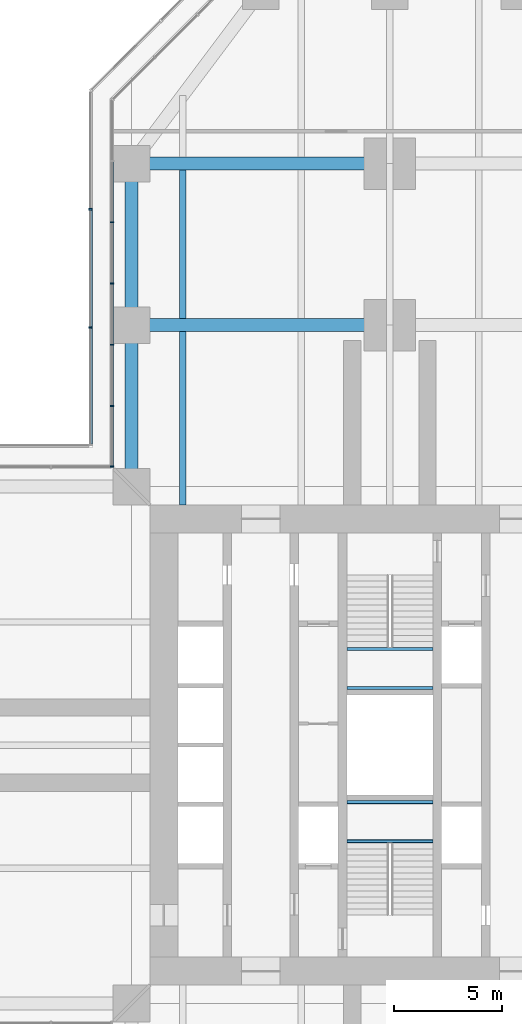
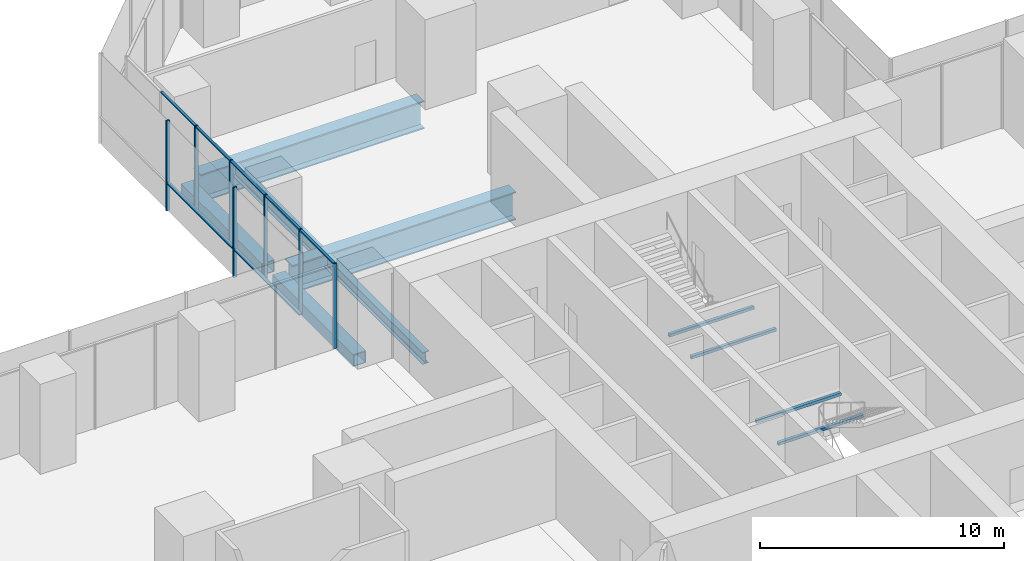
# One storey, part 8 of 21: 14 members, 10 beams, 2 elements without a shape of their own.
"""IFC4 building model written with IfcOpenShell, lengths in metres."""

from ifc_helpers import new_model, si_unit, direction, frame, origin, origin_2d, place, context, subcontext, project, spatial, rectangle, hollow_rectangle, i_section, extrude, material, material_profile, profile_set, type_object, element, aggregate, save


model = new_model("IFC4")

# Units and contexts
model_context = context("Model", 3, precision=1e-05, world=origin(), true_north=direction((0.0, 1.0)))
body_context = subcontext(model_context, "Body", "Model", "MODEL_VIEW")
ifc_project = project(units=[si_unit("LENGTHUNIT", "METRE"), si_unit("AREAUNIT", "SQUARE_METRE"), si_unit("VOLUMEUNIT", "CUBIC_METRE"), si_unit("PLANEANGLEUNIT", "RADIAN"), si_unit("MASSUNIT", "GRAM", prefix="KILO")], contexts=[model_context])

# Site, building, storey
site_placement = place(None, origin())
site = spatial("IfcSite", under=ifc_project, at=site_placement, CompositionType="ELEMENT")
building_placement = place(site_placement, origin())
building = spatial("IfcBuilding", under=site, at=building_placement, Name="Mizan Broadcast Tower", CompositionType="ELEMENT")
storey_placement = place(building_placement, frame((0.0, 0.0, 33.0)))
storey = spatial("IfcBuildingStorey", under=building, at=storey_placement, Name="L05", CompositionType="ELEMENT", Elevation=33.0)

# Beams
ifc_material_1 = material(Name="Steel S355", Category="steel")
ifc_material_profile_1 = material_profile(ifc_material_1, hollow_rectangle(XDim=0.60009765625, YDim=0.60009765625, WallThickness=0.0400390625, at=origin_2d()), Name="BOX 600x600x40")
ifc_profile_set_1 = profile_set([ifc_material_profile_1], Name="Steel S355")
beam_type_1 = type_object("IfcBeamType", Name="EDGE BEAM BOX 600x600x40", PredefinedType="SPANDREL", material=ifc_profile_set_1)
for number, where, z_axis, x_axis, name in (
    (1, (-12.0, 12.449951171875, -0.550048828125), (0.0, 1.0, 0.0), (-1.0, 0.0, 0.0), "Edge beam BOX 600x600x40 L05 north arm"),
    (2, (-12.0, 19.949951171875, -0.550048828125), (0.0, 1.0, 0.0), (-1.0, 0.0, 0.0), "Edge beam BOX 600x600x40 L05 north arm"),
):
    element("IfcBeam", number, at=place(storey_placement, frame(where, z_axis=z_axis, x_axis=x_axis)), inside=storey, type_object=beam_type_1, Name=name, PredefinedType="SPANDREL", context=body_context, shape_type="SweptSolid", body=[
        extrude(hollow_rectangle(XDim=0.60009765625, YDim=0.60009765625, WallThickness=0.0400390625, at=origin_2d()), origin(), (0.0, 0.0, 1.0), 6.60009765625),
    ])
ifc_material_2 = material(Name="Steel S460", Category="steel")
ifc_material_profile_2 = material_profile(ifc_material_2, i_section(OverallWidth=0.60009765625, OverallDepth=1.39990234375, WebThickness=0.02490234375, FlangeThickness=0.06005859375, at=origin_2d()), Name="WPG 1400x600")
ifc_profile_set_2 = profile_set([ifc_material_profile_2], Name="Steel S460")
beam_type_2 = type_object("IfcBeamType", Name="GIRDER WPG 1400x600", PredefinedType="BEAM", material=ifc_profile_set_2)
for number, where, z_axis, x_axis, name in (
    (3, (-0.719970703125, 19.5, -0.949951171875), (-1.0, 0.0, 0.0), (0.0, -1.0, 0.0), "Girder WPG 1400x600 L05 north arm"),
    (4, (-0.719970703125, 27.0, -0.949951171875), (-1.0, 0.0, 0.0), (0.0, -1.0, 0.0), "Girder WPG 1400x600 L05 north arm"),
):
    element("IfcBeam", number, at=place(storey_placement, frame(where, z_axis=z_axis, x_axis=x_axis)), inside=storey, type_object=beam_type_2, Name=name, PredefinedType="BEAM", context=body_context, shape_type="SweptSolid", body=[
        extrude(i_section(OverallWidth=0.60009765625, OverallDepth=1.39990234375, WebThickness=0.02490234375, FlangeThickness=0.06005859375, at=origin_2d()), origin(), (0.0, 0.0, 1.0), 10.56005859375),
    ])

# Curtain wall, members
ifc_material_3 = material(Name="Aluminium framed glazing", Category="aluminium")
curtain_wall_type_1 = type_object("IfcCurtainWallType", Name="PODIUM CURTAIN WALL", PredefinedType="USERDEFINED", material=ifc_material_3)
curtain_wall_1_placement = place(storey_placement, origin())
curtain_wall_1 = element("IfcCurtainWall", 5, at=curtain_wall_1_placement, inside=storey, type_object=curtain_wall_type_1, Name="Podium curtain wall L05 N side", ObjectType="PODIUM CURTAIN WALL", PredefinedType="USERDEFINED")
ifc_material_4 = material(Name="Aluminium, pale anodised", Category="aluminium")
ifc_material_profile_3 = material_profile(ifc_material_4, rectangle(XDim=0.159912109375, YDim=0.06005859375, at=origin_2d()), Name="MULLION 160x60")
ifc_profile_set_3 = profile_set([ifc_material_profile_3], Name="Aluminium, pale anodised")
member_type_1 = type_object("IfcMemberType", Name="INNER SKIN MULLION 60x160", PredefinedType="MULLION", material=ifc_profile_set_3)
member_1_placement = place(storey_placement, frame((-12.89990234375, 24.2724609375, 0.0), z_axis=(0.0, 0.0, 1.0), x_axis=(1.0, 0.0, 0.0)))
member_1 = element("IfcMember", 6, at=member_1_placement, type_object=member_type_1, Name="Podium curtain wall L05 N side mullion 3", PredefinedType="MULLION", context=body_context, shape_type="SweptSolid", body=[
    extrude(rectangle(XDim=0.159912109375, YDim=0.06005859375, at=origin_2d()), origin(), (0.0, 0.0, 1.0), 4.25),
])
member_2_placement = place(storey_placement, frame((-12.89990234375, 21.42919921875, 0.0), z_axis=(0.0, 0.0, 1.0), x_axis=(1.0, 0.0, 0.0)))
member_2 = element("IfcMember", 7, at=member_2_placement, type_object=member_type_1, Name="Podium curtain wall L05 N side mullion 4", PredefinedType="MULLION", context=body_context, shape_type="SweptSolid", body=[
    extrude(rectangle(XDim=0.159912109375, YDim=0.06005859375, at=origin_2d()), origin(), (0.0, 0.0, 1.0), 4.25),
])
member_3_placement = place(storey_placement, frame((-12.89990234375, 18.586181640625, 0.0), z_axis=(0.0, 0.0, 1.0), x_axis=(1.0, 0.0, 0.0)))
member_3 = element("IfcMember", 8, at=member_3_placement, type_object=member_type_1, Name="Podium curtain wall L05 N side mullion 5", PredefinedType="MULLION", context=body_context, shape_type="SweptSolid", body=[
    extrude(rectangle(XDim=0.159912109375, YDim=0.06005859375, at=origin_2d()), origin(), (0.0, 0.0, 1.0), 4.25),
])
member_4_placement = place(storey_placement, frame((-12.89990234375, 15.7431640625, 0.0), z_axis=(0.0, 0.0, 1.0), x_axis=(1.0, 0.0, 0.0)))
member_4 = element("IfcMember", 9, at=member_4_placement, type_object=member_type_1, Name="Podium curtain wall L05 N side mullion 6", PredefinedType="MULLION", context=body_context, shape_type="SweptSolid", body=[
    extrude(rectangle(XDim=0.159912109375, YDim=0.06005859375, at=origin_2d()), origin(), (0.0, 0.0, 1.0), 4.25),
])
member_5_placement = place(storey_placement, frame((-12.89990234375, 12.929931640625, 0.0), z_axis=(0.0, 0.0, 1.0), x_axis=(1.0, 0.0, 0.0)))
member_5 = element("IfcMember", 10, at=member_5_placement, type_object=member_type_1, Name="Podium curtain wall L05 N side mullion 7", PredefinedType="MULLION", context=body_context, shape_type="SweptSolid", body=[
    extrude(rectangle(XDim=0.159912109375, YDim=0.06005859375, at=origin_2d()), origin(), (0.0, 0.0, 1.0), 4.25),
])
ifc_material_5 = material(Name="Aluminium, pale anodised", Category="aluminium")
ifc_material_profile_4 = material_profile(ifc_material_5, rectangle(XDim=0.1201171875, YDim=0.06005859375, at=origin_2d()), Name="TRANSOM 120x60")
ifc_profile_set_4 = profile_set([ifc_material_profile_4], Name="Aluminium, pale anodised")
member_type_2 = type_object("IfcMemberType", Name="INNER SKIN TRANSOM 60x120", PredefinedType="USERDEFINED", material=ifc_profile_set_4)
member_6_placement = place(storey_placement, frame((-12.89990234375, 27.08544921875, 4.219970703125), z_axis=(0.0, -1.0, 0.0), x_axis=(1.0, 0.0, 0.0)))
member_6 = element("IfcMember", 11, at=member_6_placement, type_object=member_type_2, Name="Podium curtain wall L05 N side transom 2.1", ObjectType="TRANSOM", PredefinedType="USERDEFINED", context=body_context, shape_type="SweptSolid", body=[
    extrude(rectangle(XDim=0.1201171875, YDim=0.06005859375, at=origin_2d()), origin(), (0.0, 0.0, 1.0), 2.782958984375),
])
member_7_placement = place(storey_placement, frame((-12.89990234375, 24.242431640625, 4.219970703125), z_axis=(0.0, -1.0, 0.0), x_axis=(1.0, 0.0, 0.0)))
member_7 = element("IfcMember", 12, at=member_7_placement, type_object=member_type_2, Name="Podium curtain wall L05 N side transom 3.1", ObjectType="TRANSOM", PredefinedType="USERDEFINED", context=body_context, shape_type="SweptSolid", body=[
    extrude(rectangle(XDim=0.1201171875, YDim=0.06005859375, at=origin_2d()), origin(), (0.0, 0.0, 1.0), 2.783203125),
])
member_8_placement = place(storey_placement, frame((-12.89990234375, 21.399169921875, 4.219970703125), z_axis=(0.0, -1.0, 0.0), x_axis=(1.0, 0.0, 0.0)))
member_8 = element("IfcMember", 13, at=member_8_placement, type_object=member_type_2, Name="Podium curtain wall L05 N side transom 4.1", ObjectType="TRANSOM", PredefinedType="USERDEFINED", context=body_context, shape_type="SweptSolid", body=[
    extrude(rectangle(XDim=0.1201171875, YDim=0.06005859375, at=origin_2d()), origin(), (0.0, 0.0, 1.0), 2.782958984375),
])
member_9_placement = place(storey_placement, frame((-12.89990234375, 18.55615234375, 4.219970703125), z_axis=(0.0, -1.0, 0.0), x_axis=(1.0, 0.0, 0.0)))
member_9 = element("IfcMember", 14, at=member_9_placement, type_object=member_type_2, Name="Podium curtain wall L05 N side transom 5.1", ObjectType="TRANSOM", PredefinedType="USERDEFINED", context=body_context, shape_type="SweptSolid", body=[
    extrude(rectangle(XDim=0.1201171875, YDim=0.06005859375, at=origin_2d()), origin(), (0.0, 0.0, 1.0), 2.782958984375),
])
member_10_placement = place(storey_placement, frame((-12.89990234375, 15.713134765625, 4.219970703125), z_axis=(0.0, -1.0, 0.0), x_axis=(1.0, 0.0, 0.0)))
member_10 = element("IfcMember", 15, at=member_10_placement, type_object=member_type_2, Name="Podium curtain wall L05 N side transom 6.1", ObjectType="TRANSOM", PredefinedType="USERDEFINED", context=body_context, shape_type="SweptSolid", body=[
    extrude(rectangle(XDim=0.1201171875, YDim=0.06005859375, at=origin_2d()), origin(), (0.0, 0.0, 1.0), 2.753173828125),
])
aggregate(curtain_wall_1, [member_1, member_2, member_3, member_4, member_5, member_6, member_7, member_8, member_9, member_10])

# Beams
ifc_material_6 = material(Name="Steel S355", Category="steel")
ifc_material_profile_5 = material_profile(ifc_material_6, hollow_rectangle(XDim=0.14990234375, YDim=0.14990234375, WallThickness=0.008056640625, InnerFilletRadius=0.008056640625, OuterFilletRadius=0.011962890625, at=origin_2d()), Name="SHS 150x150x8")
ifc_profile_set_5 = profile_set([ifc_material_profile_5], Name="Steel S355")
beam_type_3 = type_object("IfcBeamType", Name="LANDING TRIMMER SHS 150x150x8", PredefinedType="BEAM", material=ifc_profile_set_5)
for number, where, z_axis, x_axis, name in (
    (16, (-2.0, -4.465087890625, 1.97509765625), (1.0, 0.0, 0.0), (0.0, 1.0, 0.0), "Stair A landing trimmer L05"),
    (17, (-2.0, -2.64990234375, 1.97509765625), (1.0, 0.0, 0.0), (0.0, 1.0, 0.0), "Stair A landing trimmer L05"),
    (18, (2.0, 4.465087890625, 1.97509765625), (-1.0, 0.0, 0.0), (0.0, -1.0, 0.0), "Stair B landing trimmer L05"),
    (19, (2.0, 2.64990234375, 1.97509765625), (-1.0, 0.0, 0.0), (0.0, -1.0, 0.0), "Stair B landing trimmer L05"),
):
    element("IfcBeam", number, at=place(storey_placement, frame(where, z_axis=z_axis, x_axis=x_axis)), inside=storey, type_object=beam_type_3, Name=name, PredefinedType="BEAM", context=body_context, shape_type="SweptSolid", body=[
        extrude(hollow_rectangle(XDim=0.14990234375, YDim=0.14990234375, WallThickness=0.008056640625, InnerFilletRadius=0.008056640625, OuterFilletRadius=0.011962890625, at=origin_2d()), origin(), (0.0, 0.0, 1.0), 4.0),
    ])

# Curtain wall, members
ifc_material_7 = material(Name="Aluminium framed glazing", Category="aluminium")
curtain_wall_type_2 = type_object("IfcCurtainWallType", Name="OUTER SKIN", PredefinedType="USERDEFINED", material=ifc_material_7)
curtain_wall_2_placement = place(storey_placement, origin())
curtain_wall_2 = element("IfcCurtainWall", 20, at=curtain_wall_2_placement, inside=storey, type_object=curtain_wall_type_2, Name="Outer skin L05 N side", ObjectType="OUTER SKIN", PredefinedType="USERDEFINED")
ifc_material_8 = material(Name="Aluminium, pale anodised", Category="aluminium")
ifc_material_profile_6 = material_profile(ifc_material_8, rectangle(XDim=0.159912109375, YDim=0.080078125, at=origin_2d()), Name="MULLION 160x80")
ifc_profile_set_6 = profile_set([ifc_material_profile_6], Name="Aluminium, pale anodised")
member_type_3 = type_object("IfcMemberType", Name="OUTER SKIN MULLION 80x160", PredefinedType="MULLION", material=ifc_profile_set_6)
member_11_placement = place(storey_placement, frame((-13.89990234375, 24.8818359375, 0.0), z_axis=(0.0, 0.0, 1.0), x_axis=(1.0, 0.0, 0.0)))
member_11 = element("IfcMember", 21, at=member_11_placement, type_object=member_type_3, Name="Outer skin L05 N side mullion 2", PredefinedType="MULLION", context=body_context, shape_type="SweptSolid", body=[
    extrude(rectangle(XDim=0.159912109375, YDim=0.080078125, at=origin_2d()), origin(), (0.0, 0.0, 1.0), 4.5),
])
member_12_placement = place(storey_placement, frame((-13.89990234375, 19.390869140625, 0.0), z_axis=(0.0, 0.0, 1.0), x_axis=(1.0, 0.0, 0.0)))
member_12 = element("IfcMember", 22, at=member_12_placement, type_object=member_type_3, Name="Outer skin L05 N side mullion 3", PredefinedType="MULLION", context=body_context, shape_type="SweptSolid", body=[
    extrude(rectangle(XDim=0.159912109375, YDim=0.080078125, at=origin_2d()), origin(), (0.0, 0.0, 1.0), 4.5),
])
ifc_material_9 = material(Name="Aluminium, pale anodised", Category="aluminium")
ifc_material_profile_7 = material_profile(ifc_material_9, rectangle(XDim=0.159912109375, YDim=0.06005859375, at=origin_2d()), Name="TRANSOM 160x60")
ifc_profile_set_7 = profile_set([ifc_material_profile_7], Name="Aluminium, pale anodised")
member_type_4 = type_object("IfcMemberType", Name="OUTER SKIN TRANSOM 60x160", PredefinedType="USERDEFINED", material=ifc_profile_set_7)
member_13_placement = place(storey_placement, frame((-13.89990234375, 24.841796875, 1.39990234375), z_axis=(0.0, -1.0, 0.0), x_axis=(1.0, 0.0, 0.0)))
member_13 = element("IfcMember", 23, at=member_13_placement, type_object=member_type_4, Name="Outer skin L05 N side transom 2.1", ObjectType="TRANSOM", PredefinedType="USERDEFINED", context=body_context, shape_type="SweptSolid", body=[
    extrude(rectangle(XDim=0.159912109375, YDim=0.06005859375, at=origin_2d()), origin(), (0.0, 0.0, 1.0), 5.410888671875),
])
member_14_placement = place(storey_placement, frame((-13.89990234375, 19.350830078125, 1.39990234375), z_axis=(0.0, -1.0, 0.0), x_axis=(1.0, 0.0, 0.0)))
member_14 = element("IfcMember", 24, at=member_14_placement, type_object=member_type_4, Name="Outer skin L05 N side transom 3.1", ObjectType="TRANSOM", PredefinedType="USERDEFINED", context=body_context, shape_type="SweptSolid", body=[
    extrude(rectangle(XDim=0.159912109375, YDim=0.06005859375, at=origin_2d()), origin(), (0.0, 0.0, 1.0), 5.370849609375),
])
aggregate(curtain_wall_2, [member_11, member_12, member_13, member_14])

# Beams
ifc_material_10 = material(Name="Steel S355", Category="steel")
ifc_material_profile_8 = material_profile(ifc_material_10, i_section(OverallWidth=0.300048828125, OverallDepth=0.590087890625, WebThickness=0.012939453125, FlangeThickness=0.02490234375, FilletRadius=0.027099609375, at=origin_2d()), Name="HEA 600")
ifc_profile_set_8 = profile_set([ifc_material_profile_8], Name="Steel S355")
beam_type_4 = type_object("IfcBeamType", Name="SECONDARY BEAM HEA 600", PredefinedType="JOIST", material=ifc_profile_set_8)
beam_1_placement = place(storey_placement, frame((-9.625, 11.14990234375, -0.544921875), z_axis=(0.0, 1.0, 0.0), x_axis=(-1.0, 0.0, 0.0)))
element("IfcBeam", 25, at=beam_1_placement, inside=storey, type_object=beam_type_4, Name="Secondary beam HEA 600 L05 north arm", PredefinedType="JOIST", context=body_context, shape_type="SweptSolid", body=[
    extrude(i_section(OverallWidth=0.300048828125, OverallDepth=0.590087890625, WebThickness=0.012939453125, FlangeThickness=0.02490234375, FilletRadius=0.027099609375, at=origin_2d()), origin(), (0.0, 0.0, 1.0), 8.050048828125),
])
beam_2_placement = place(storey_placement, frame((-9.625, 19.800048828125, -0.544921875), z_axis=(0.0, 1.0, 0.0), x_axis=(-1.0, 0.0, 0.0)))
element("IfcBeam", 26, at=beam_2_placement, inside=storey, type_object=beam_type_4, Name="Secondary beam HEA 600 L05 north arm", PredefinedType="JOIST", context=body_context, shape_type="SweptSolid", body=[
    extrude(i_section(OverallWidth=0.300048828125, OverallDepth=0.590087890625, WebThickness=0.012939453125, FlangeThickness=0.02490234375, FilletRadius=0.027099609375, at=origin_2d()), origin(), (0.0, 0.0, 1.0), 6.89990234375),
])

save(model, "model.ifc")
